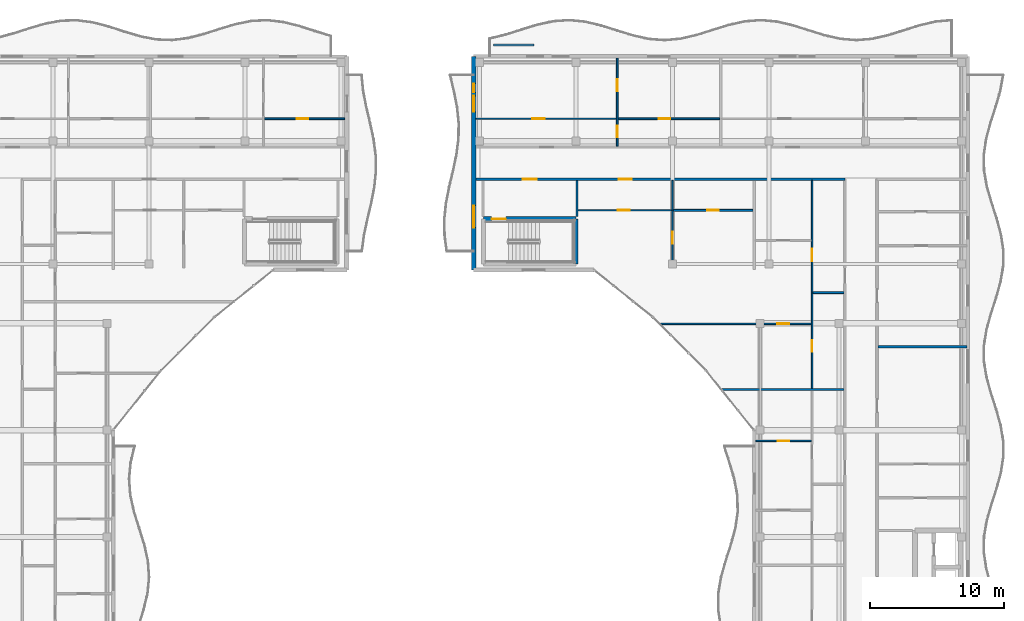
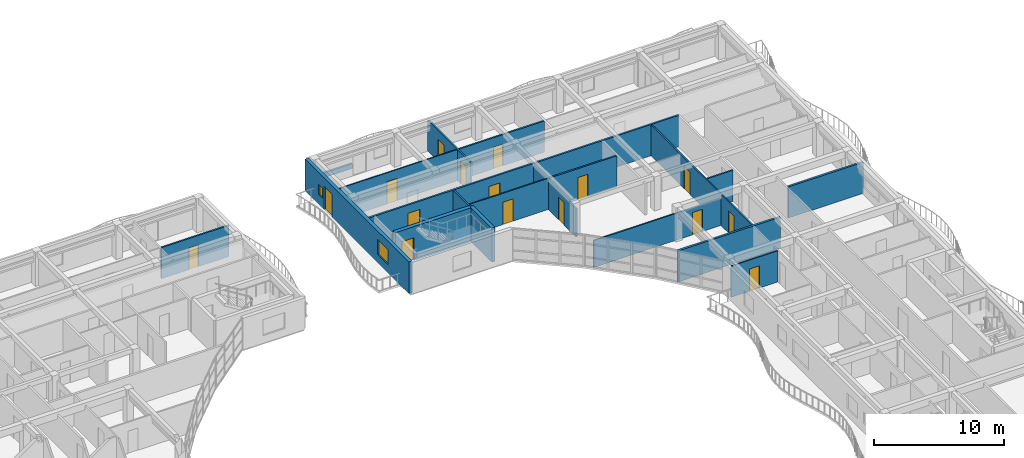
# One storey, part 44 of 72: 19 walls, 16 doors, 2 windows, 18 openings.
"""IFC4 building model written with IfcOpenShell, lengths in metres."""

from ifc_helpers import new_model, si_unit, direction, frame, frame_2d, origin, place, context, subcontext, project, spatial, rectangle, extrude, material, layer, layer_set, type_object, element, fill, save


model = new_model("IFC4")

# Units and contexts
model_context = context("Model", 3, precision=1e-05, world=origin(), true_north=direction((0.0, 1.0)))
body_context = subcontext(model_context, "Body", "Model", "MODEL_VIEW")
ifc_project = project(units=[si_unit("LENGTHUNIT", "METRE"), si_unit("AREAUNIT", "SQUARE_METRE"), si_unit("VOLUMEUNIT", "CUBIC_METRE"), si_unit("PLANEANGLEUNIT", "RADIAN"), si_unit("MASSUNIT", "GRAM", prefix="KILO")], contexts=[model_context])

# Site, building, storey
site_placement = place(None, origin())
site = spatial("IfcSite", under=ifc_project, at=site_placement, CompositionType="ELEMENT")
building_placement = place(site_placement, origin())
building = spatial("IfcBuilding", under=site, at=building_placement, Name="Keldmere Railside Commons", CompositionType="ELEMENT")
storey_placement = place(building_placement, frame((0.0, 0.0, 16.9599609375)))
storey = spatial("IfcBuildingStorey", under=building, at=storey_placement, Name="L05", CompositionType="ELEMENT", Elevation=16.9599609375)

# Walls
ifc_material_1 = material(Name="Acoustic Gypsum Board Partition", Category="gypsum")
ifc_layer_1 = layer(ifc_material_1, 0.179931640625, Name="Acoustic Demising Partition 180")
ifc_layer_set_1 = layer_set([ifc_layer_1], Name="Acoustic Gypsum Board Partition")
wall_type_1 = type_object("IfcWallType", Name="Acoustic Demising Partition 180", PredefinedType="PARTITIONING", material=ifc_layer_set_1)
wall_1_placement = place(storey_placement, frame((165.6044921875, 91.050048828125, 0.0), z_axis=(0.0, 0.0, 1.0), x_axis=(1.0, 0.0, 0.0)))
element("IfcWall", 1, at=wall_1_placement, inside=storey, type_object=wall_type_1, Name="IW-1 IW-L05-1606", PredefinedType="PARTITIONING", context=body_context, shape_type="SweptSolid", body=[
    extrude(rectangle(XDim=9.115478515625, YDim=0.179931640625, at=frame_2d((4.5576171875, 0.0))), origin(), (0.0, 0.0, 1.0), 2.93505859375),
])
wall_2_placement = place(storey_placement, frame((177.280029296875, 94.25, 0.0), z_axis=(0.0, 0.0, 1.0), x_axis=(1.0, 0.0, 0.0)))
element("IfcWall", 2, at=wall_2_placement, inside=storey, type_object=wall_type_1, Name="IW-1 IW-L05-1631", PredefinedType="PARTITIONING", context=body_context, shape_type="SweptSolid", body=[
    extrude(rectangle(XDim=6.679931640625, YDim=0.179931640625, at=frame_2d((3.33984375, 0.0))), origin(), (0.0, 0.0, 1.0), 2.93505859375),
])

# Wall, opening, door
ifc_layer_2 = layer(ifc_material_1, 0.1201171875, Name="Apartment Interior Partition 120")
ifc_layer_set_2 = layer_set([ifc_layer_2], Name="Acoustic Gypsum Board Partition")
wall_type_2 = type_object("IfcWallType", Name="Apartment Interior Partition 120", PredefinedType="PARTITIONING", material=ifc_layer_set_2)
wall_3_placement = place(storey_placement, frame((168.1298828125, 87.199951171875, 0.0), z_axis=(0.0, 0.0, 1.0), x_axis=(1.0, 0.0, 0.0)))
wall_3 = element("IfcWall", 3, at=wall_3_placement, inside=storey, type_object=wall_type_2, Name="IW-4 IW-L05-1616", PredefinedType="PARTITIONING", context=body_context, shape_type="SweptSolid", body=[
    extrude(rectangle(XDim=4.150146484375, YDim=0.1201171875, at=frame_2d((2.0751953125, 0.0))), origin(), (0.0, 0.0, 1.0), 2.93505859375),
])
opening_1_placement = place(wall_3_placement, frame((1.635009765625, 0.0, 0.0)))
opening_1 = element("IfcOpeningElement", 4, at=opening_1_placement, cuts=wall_3, Name="Opening ID-02", PredefinedType="OPENING", context=body_context, shape_type="SweptSolid", body=[
    extrude(rectangle(XDim=0.8798828125, YDim=2.10009765625, at=frame_2d((0.43994140625, 1.050048828125))), frame((0.0, 0.070068359375, 0.0), z_axis=(0.0, -1.0, 0.0), x_axis=(1.0, 0.0, 0.0)), (0.0, 0.0, 1.0), 0.14013671875),
])
ifc_material_2 = material(Name="Engineered Oak Timber", Category="wood")
door_type_1 = type_object("IfcDoorType", Name="Secondary Bedroom Door 880x2100", OperationType="NOTDEFINED", PredefinedType="DOOR", material=ifc_material_2)
door_1_placement = place(opening_1_placement, origin())
door_1 = element("IfcDoor", 5, at=door_1_placement, inside=storey, type_object=door_type_1, Name="ID-02 IDR-L05-1460", OperationType="SINGLE_SWING_RIGHT", OverallHeight=2.10009765625, OverallWidth=0.8798828125, PredefinedType="DOOR", context=body_context, shape_type="SweptSolid", body=[
    extrude(rectangle(XDim=0.8798828125, YDim=2.10009765625, at=frame_2d((0.43994140625, 1.050048828125))), frame((0.0, 0.02490234375, 0.0), z_axis=(0.0, -1.0, 0.0), x_axis=(1.0, 0.0, 0.0)), (0.0, 0.0, 1.0), 0.050048828125),
])
fill(opening_1, door_1)

# Wall, openings, doors
wall_4_placement = place(storey_placement, frame((172.340087890625, 91.139892578125, 0.0), z_axis=(0.0, 0.0, 1.0), x_axis=(0.0, 1.0, 0.0)))
wall_4 = element("IfcWall", 6, at=wall_4_placement, inside=storey, type_object=wall_type_2, Name="IW-4 IW-L05-1617", PredefinedType="PARTITIONING", context=body_context, shape_type="SweptSolid", body=[
    extrude(rectangle(XDim=15.580078125, YDim=0.1201171875, at=frame_2d((7.7900390625, 0.0))), origin(), (0.0, 0.0, 1.0), 2.93505859375),
])
opening_2_placement = place(wall_4_placement, frame((2.724609375, 0.0, 0.0)))
opening_2 = element("IfcOpeningElement", 7, at=opening_2_placement, cuts=wall_4, Name="Opening ID-04", PredefinedType="OPENING", context=body_context, shape_type="SweptSolid", body=[
    extrude(rectangle(XDim=0.860107421875, YDim=2.10009765625, at=frame_2d((0.43017578125, 1.050048828125))), frame((0.0, 0.070068359375, 0.0), z_axis=(0.0, -1.0, 0.0), x_axis=(1.0, 0.0, 0.0)), (0.0, 0.0, 1.0), 0.14013671875),
])
opening_3_placement = place(wall_4_placement, frame((9.52490234375, 0.0, 0.0)))
opening_3 = element("IfcOpeningElement", 8, at=opening_3_placement, cuts=wall_4, Name="Opening ID-03", PredefinedType="OPENING", context=body_context, shape_type="SweptSolid", body=[
    extrude(rectangle(XDim=0.919921875, YDim=2.10009765625, at=frame_2d((0.4599609375, 1.050048828125))), frame((0.0, 0.070068359375, 0.0), z_axis=(0.0, -1.0, 0.0), x_axis=(1.0, 0.0, 0.0)), (0.0, 0.0, 1.0), 0.14013671875),
])
door_type_2 = type_object("IfcDoorType", Name="Apartment Bathroom Door 860x2100", OperationType="NOTDEFINED", PredefinedType="DOOR", material=ifc_material_2)
door_2_placement = place(opening_2_placement, origin())
door_2 = element("IfcDoor", 9, at=door_2_placement, inside=storey, type_object=door_type_2, Name="ID-04 IDR-L05-1461", OperationType="SINGLE_SWING_LEFT", OverallHeight=2.10009765625, OverallWidth=0.860107421875, PredefinedType="DOOR", context=body_context, shape_type="SweptSolid", body=[
    extrude(rectangle(XDim=0.860107421875, YDim=2.10009765625, at=frame_2d((0.43017578125, 1.050048828125))), frame((0.0, 0.02490234375, 0.0), z_axis=(0.0, -1.0, 0.0), x_axis=(1.0, 0.0, 0.0)), (0.0, 0.0, 1.0), 0.050048828125),
])
fill(opening_2, door_2)
door_type_3 = type_object("IfcDoorType", Name="Kitchen Pocket-Frame Swing Door 920x2100", OperationType="NOTDEFINED", PredefinedType="DOOR", material=ifc_material_2)
door_3_placement = place(opening_3_placement, origin())
door_3 = element("IfcDoor", 10, at=door_3_placement, inside=storey, type_object=door_type_3, Name="ID-03 IDR-L05-1462", OperationType="SINGLE_SWING_RIGHT", OverallHeight=2.10009765625, OverallWidth=0.919921875, PredefinedType="DOOR", context=body_context, shape_type="SweptSolid", body=[
    extrude(rectangle(XDim=0.919921875, YDim=2.10009765625, at=frame_2d((0.4599609375, 1.050048828125))), frame((0.0, 0.02490234375, 0.0), z_axis=(0.0, -1.0, 0.0), x_axis=(1.0, 0.0, 0.0)), (0.0, 0.0, 1.0), 0.050048828125),
])
fill(opening_3, door_3)

# Wall, opening, door
wall_5_placement = place(storey_placement, frame((160.962646484375, 95.969970703125, 0.0), z_axis=(0.0, 0.0, 1.0), x_axis=(1.0, 0.0, 0.0)))
wall_5 = element("IfcWall", 11, at=wall_5_placement, inside=storey, type_object=wall_type_2, Name="IW-4 IW-L05-1619", PredefinedType="PARTITIONING", context=body_context, shape_type="SweptSolid", body=[
    extrude(rectangle(XDim=11.3173828125, YDim=0.1201171875, at=frame_2d((5.65869140625, 0.0))), origin(), (0.0, 0.0, 1.0), 2.530029296875),
])
opening_4_placement = place(wall_5_placement, frame((8.77197265625, 0.0, 0.0)))
opening_4 = element("IfcOpeningElement", 12, at=opening_4_placement, cuts=wall_5, Name="Opening ID-01", PredefinedType="OPENING", context=body_context, shape_type="SweptSolid", body=[
    extrude(rectangle(XDim=0.89990234375, YDim=2.10009765625, at=frame_2d((0.449951171875, 1.050048828125))), frame((0.0, 0.070068359375, 0.0), z_axis=(0.0, -1.0, 0.0), x_axis=(1.0, 0.0, 0.0)), (0.0, 0.0, 1.0), 0.14013671875),
])
door_type_4 = type_object("IfcDoorType", Name="Primary Bedroom Door 900x2100", OperationType="NOTDEFINED", PredefinedType="DOOR", material=ifc_material_2)
door_4_placement = place(opening_4_placement, origin())
door_4 = element("IfcDoor", 13, at=door_4_placement, inside=storey, type_object=door_type_4, Name="ID-01 IDR-L05-1464", OperationType="SINGLE_SWING_RIGHT", OverallHeight=2.10009765625, OverallWidth=0.89990234375, PredefinedType="DOOR", context=body_context, shape_type="SweptSolid", body=[
    extrude(rectangle(XDim=0.89990234375, YDim=2.10009765625, at=frame_2d((0.449951171875, 1.050048828125))), frame((0.0, 0.02490234375, 0.0), z_axis=(0.0, -1.0, 0.0), x_axis=(1.0, 0.0, 0.0)), (0.0, 0.0, 1.0), 0.050048828125),
])
fill(opening_4, door_4)

# Wall, openings, doors
wall_6_placement = place(storey_placement, frame((157.75, 109.280029296875, 0.0), z_axis=(0.0, 0.0, 1.0), x_axis=(0.0, 1.0, 0.0)))
wall_6 = element("IfcWall", 14, at=wall_6_placement, inside=storey, type_object=wall_type_2, Name="IW-4 IW-L05-1622", PredefinedType="PARTITIONING", context=body_context, shape_type="SweptSolid", body=[
    extrude(rectangle(XDim=6.590087890625, YDim=0.1201171875, at=frame_2d((3.294921875, 0.0))), origin(), (0.0, 0.0, 1.0), 2.93505859375),
])
opening_5_placement = place(wall_6_placement, frame((0.656005859375, 0.0, 0.0)))
opening_5 = element("IfcOpeningElement", 15, at=opening_5_placement, cuts=wall_6, Name="Opening ID-04", PredefinedType="OPENING", context=body_context, shape_type="SweptSolid", body=[
    extrude(rectangle(XDim=0.860107421875, YDim=2.10009765625, at=frame_2d((0.43017578125, 1.050048828125))), frame((0.0, 0.070068359375, 0.0), z_axis=(0.0, -1.0, 0.0), x_axis=(1.0, 0.0, 0.0)), (0.0, 0.0, 1.0), 0.14013671875),
])
opening_6_placement = place(wall_6_placement, frame((4.093017578125, 0.0, 0.0)))
opening_6 = element("IfcOpeningElement", 16, at=opening_6_placement, cuts=wall_6, Name="Opening ID-01", PredefinedType="OPENING", context=body_context, shape_type="SweptSolid", body=[
    extrude(rectangle(XDim=0.89990234375, YDim=2.10009765625, at=frame_2d((0.449951171875, 1.050048828125))), frame((0.0, 0.070068359375, 0.0), z_axis=(0.0, -1.0, 0.0), x_axis=(1.0, 0.0, 0.0)), (0.0, 0.0, 1.0), 0.14013671875),
])
door_5_placement = place(opening_5_placement, origin())
door_5 = element("IfcDoor", 17, at=door_5_placement, inside=storey, type_object=door_type_2, Name="ID-04 IDR-L05-1468", OperationType="SINGLE_SWING_RIGHT", OverallHeight=2.10009765625, OverallWidth=0.860107421875, PredefinedType="DOOR", context=body_context, shape_type="SweptSolid", body=[
    extrude(rectangle(XDim=0.860107421875, YDim=2.10009765625, at=frame_2d((0.43017578125, 1.050048828125))), frame((0.0, 0.02490234375, 0.0), z_axis=(0.0, -1.0, 0.0), x_axis=(1.0, 0.0, 0.0)), (0.0, 0.0, 1.0), 0.050048828125),
])
fill(opening_5, door_5)
door_6_placement = place(opening_6_placement, origin())
door_6 = element("IfcDoor", 18, at=door_6_placement, inside=storey, type_object=door_type_4, Name="ID-01 IDR-L05-1469", OperationType="SINGLE_SWING_LEFT", OverallHeight=2.10009765625, OverallWidth=0.89990234375, PredefinedType="DOOR", context=body_context, shape_type="SweptSolid", body=[
    extrude(rectangle(XDim=0.89990234375, YDim=2.10009765625, at=frame_2d((0.449951171875, 1.050048828125))), frame((0.0, 0.02490234375, 0.0), z_axis=(0.0, -1.0, 0.0), x_axis=(1.0, 0.0, 0.0)), (0.0, 0.0, 1.0), 0.050048828125),
])
fill(opening_6, door_6)

# Wall, opening, door
wall_7_placement = place(storey_placement, frame((161.8798828125, 100.159912109375, 0.0), z_axis=(0.0, 0.0, 1.0), x_axis=(0.0, 1.0, 0.0)))
wall_7 = element("IfcWall", 19, at=wall_7_placement, inside=storey, type_object=wall_type_2, Name="IW-4 IW-L05-1628", PredefinedType="PARTITIONING", context=body_context, shape_type="SweptSolid", body=[
    extrude(rectangle(XDim=6.56005859375, YDim=0.1201171875, at=frame_2d((3.280029296875, 0.0))), origin(), (0.0, 0.0, 1.0), 2.679931640625),
])
opening_7_placement = place(wall_7_placement, frame((1.810302734375, 0.0, 0.0)))
opening_7 = element("IfcOpeningElement", 20, at=opening_7_placement, cuts=wall_7, Name="Opening ID-02", PredefinedType="OPENING", context=body_context, shape_type="SweptSolid", body=[
    extrude(rectangle(XDim=0.8798828125, YDim=2.10009765625, at=frame_2d((0.43994140625, 1.050048828125))), frame((0.0, 0.070068359375, 0.0), z_axis=(0.0, -1.0, 0.0), x_axis=(1.0, 0.0, 0.0)), (0.0, 0.0, 1.0), 0.14013671875),
])
door_7_placement = place(opening_7_placement, origin())
door_7 = element("IfcDoor", 21, at=door_7_placement, inside=storey, type_object=door_type_1, Name="ID-02 IDR-L05-1478", OperationType="SINGLE_SWING_RIGHT", OverallHeight=2.10009765625, OverallWidth=0.8798828125, PredefinedType="DOOR", context=body_context, shape_type="SweptSolid", body=[
    extrude(rectangle(XDim=0.8798828125, YDim=2.10009765625, at=frame_2d((0.43994140625, 1.050048828125))), frame((0.0, 0.02490234375, 0.0), z_axis=(0.0, -1.0, 0.0), x_axis=(1.0, 0.0, 0.0)), (0.0, 0.0, 1.0), 0.050048828125),
])
fill(opening_7, door_7)

# Wall
ifc_material_3 = material(Name="White Precast Concrete H-35 (C35/45)", Category="concrete")
ifc_layer_3 = layer(ifc_material_3, 0.169921875, Name="Balcony Planter Kerb Wall 170")
ifc_layer_set_3 = layer_set([ifc_layer_3], Name="White Precast Concrete H-35 (C35/45)")
wall_type_3 = type_object("IfcWallType", Name="Balcony Planter Kerb Wall 170", PredefinedType="PARAPET", material=ifc_layer_set_3)
wall_8_placement = place(storey_placement, frame((148.5, 116.85009765625, 0.0), z_axis=(0.0, 0.0, 1.0), x_axis=(1.0, 0.0, 0.0)))
element("IfcWall", 22, at=wall_8_placement, inside=storey, type_object=wall_type_3, Name="PW-2 PKBA-L05-0916", PredefinedType="PARAPET", context=body_context, shape_type="SweptSolid", body=[
    extrude(rectangle(XDim=3.0, YDim=0.169921875, at=frame_2d((1.5, 0.0))), origin(), (0.0, 0.0, 1.0), 0.449951171875),
])

# Wall, opening, door
ifc_layer_4 = layer(ifc_material_1, 0.10009765625, Name="Closet Light Partition 100")
ifc_layer_set_4 = layer_set([ifc_layer_4], Name="Acoustic Gypsum Board Partition")
wall_type_4 = type_object("IfcWallType", Name="Closet Light Partition 100", PredefinedType="PARTITIONING", material=ifc_layer_set_4)
wall_9_placement = place(storey_placement, frame((147.159912109375, 111.330078125, 0.0), z_axis=(0.0, 0.0, 1.0), x_axis=(1.0, 0.0, 0.0)))
wall_9 = element("IfcWall", 23, at=wall_9_placement, inside=storey, type_object=wall_type_4, Name="IW-6 IW-L05-1624", PredefinedType="PARTITIONING", context=body_context, shape_type="SweptSolid", body=[
    extrude(rectangle(XDim=10.530029296875, YDim=0.10009765625, at=frame_2d((5.26513671875, 0.0))), origin(), (0.0, 0.0, 1.0), 2.93505859375),
])
opening_8_placement = place(wall_9_placement, frame((4.236083984375, 0.0, 0.0)))
opening_8 = element("IfcOpeningElement", 24, at=opening_8_placement, cuts=wall_9, Name="Opening ID-03", PredefinedType="OPENING", context=body_context, shape_type="SweptSolid", body=[
    extrude(rectangle(XDim=0.919921875, YDim=2.10009765625, at=frame_2d((0.4599609375, 1.050048828125))), frame((0.0, 0.06005859375, 0.0), z_axis=(0.0, -1.0, 0.0), x_axis=(1.0, 0.0, 0.0)), (0.0, 0.0, 1.0), 0.1201171875),
])
door_8_placement = place(opening_8_placement, origin())
door_8 = element("IfcDoor", 25, at=door_8_placement, inside=storey, type_object=door_type_3, Name="ID-03 IDR-L05-1467", OperationType="SINGLE_SWING_LEFT", OverallHeight=2.10009765625, OverallWidth=0.919921875, PredefinedType="DOOR", context=body_context, shape_type="SweptSolid", body=[
    extrude(rectangle(XDim=0.919921875, YDim=2.10009765625, at=frame_2d((0.4599609375, 1.050048828125))), frame((0.0, 0.02490234375, 0.0), z_axis=(0.0, -1.0, 0.0), x_axis=(1.0, 0.0, 0.0)), (0.0, 0.0, 1.0), 0.050048828125),
])
fill(opening_8, door_8)

wall_10_placement = place(storey_placement, frame((154.800048828125, 104.469970703125, 0.0), z_axis=(0.0, 0.0, 1.0), x_axis=(1.0, 0.0, 0.0)))
wall_10 = element("IfcWall", 26, at=wall_10_placement, inside=storey, type_object=wall_type_4, Name="IW-6 IW-L05-1630", PredefinedType="PARTITIONING", context=body_context, shape_type="SweptSolid", body=[
    extrude(rectangle(XDim=7.02001953125, YDim=0.10009765625, at=frame_2d((3.510009765625, 0.0))), origin(), (0.0, 0.0, 1.0), 2.93505859375),
])
opening_9_placement = place(wall_10_placement, frame((2.9736328125, 0.0, 0.0)))
opening_9 = element("IfcOpeningElement", 27, at=opening_9_placement, cuts=wall_10, Name="Opening ID-03", PredefinedType="OPENING", context=body_context, shape_type="SweptSolid", body=[
    extrude(rectangle(XDim=0.919921875, YDim=2.10009765625, at=frame_2d((0.4599609375, 1.050048828125))), frame((0.0, 0.06005859375, 0.0), z_axis=(0.0, -1.0, 0.0), x_axis=(1.0, 0.0, 0.0)), (0.0, 0.0, 1.0), 0.1201171875),
])
door_9_placement = place(opening_9_placement, origin())
door_9 = element("IfcDoor", 28, at=door_9_placement, inside=storey, type_object=door_type_3, Name="ID-03 IDR-L05-1477", OperationType="SINGLE_SWING_LEFT", OverallHeight=2.10009765625, OverallWidth=0.919921875, PredefinedType="DOOR", context=body_context, shape_type="SweptSolid", body=[
    extrude(rectangle(XDim=0.919921875, YDim=2.10009765625, at=frame_2d((0.4599609375, 1.050048828125))), frame((0.0, 0.02490234375, 0.0), z_axis=(0.0, -1.0, 0.0), x_axis=(1.0, 0.0, 0.0)), (0.0, 0.0, 1.0), 0.050048828125),
])
fill(opening_9, door_9)

# Wall, openings, doors
ifc_layer_5 = layer(ifc_material_1, 0.159912109375, Name="Corridor Fire Partition 160")
ifc_layer_set_5 = layer_set([ifc_layer_5], Name="Acoustic Gypsum Board Partition")
wall_type_5 = type_object("IfcWallType", Name="Corridor Fire Partition 160", PredefinedType="PARTITIONING", material=ifc_layer_set_5)
wall_11_placement = place(storey_placement, frame((147.159912109375, 106.800048828125, 0.0), z_axis=(0.0, 0.0, 1.0), x_axis=(1.0, 0.0, 0.0)))
wall_11 = element("IfcWall", 29, at=wall_11_placement, inside=storey, type_object=wall_type_5, Name="IW-2 IW-L05-1598", PredefinedType="PARTITIONING", context=body_context, shape_type="SweptSolid", body=[
    extrude(rectangle(XDim=27.64013671875, YDim=0.159912109375, at=frame_2d((13.820068359375, 0.0))), origin(), (0.0, 0.0, 1.0), 2.93505859375),
])
opening_10_placement = place(wall_11_placement, frame((3.514892578125, 0.0, 0.0)))
opening_10 = element("IfcOpeningElement", 30, at=opening_10_placement, cuts=wall_11, Name="Opening FD-1", PredefinedType="OPENING", context=body_context, shape_type="SweptSolid", body=[
    extrude(rectangle(XDim=1.050048828125, YDim=2.14990234375, at=frame_2d((0.52490234375, 1.074951171875))), frame((0.0, 0.08984375, 0.0), z_axis=(0.0, -1.0, 0.0), x_axis=(1.0, 0.0, 0.0)), (0.0, 0.0, 1.0), 0.179931640625),
])
opening_11_placement = place(wall_11_placement, frame((10.68994140625, 0.0, 0.0)))
opening_11 = element("IfcOpeningElement", 31, at=opening_11_placement, cuts=wall_11, Name="Opening FD-7", PredefinedType="OPENING", context=body_context, shape_type="SweptSolid", body=[
    extrude(rectangle(XDim=0.97998046875, YDim=2.14990234375, at=frame_2d((0.489990234375, 1.074951171875))), frame((0.0, 0.08984375, 0.0), z_axis=(0.0, -1.0, 0.0), x_axis=(1.0, 0.0, 0.0)), (0.0, 0.0, 1.0), 0.179931640625),
])
door_type_5 = type_object("IfcDoorType", Name="Apartment Entrance Acoustic Fire Door 980x2150", OperationType="NOTDEFINED", PredefinedType="DOOR", material=ifc_material_2)
door_10_placement = place(opening_11_placement, origin())
door_10 = element("IfcDoor", 32, at=door_10_placement, inside=storey, type_object=door_type_5, Name="FD-7 IDR-L05-1476", OperationType="SINGLE_SWING_RIGHT", OverallHeight=2.14990234375, OverallWidth=0.97998046875, PredefinedType="DOOR", context=body_context, shape_type="SweptSolid", body=[
    extrude(rectangle(XDim=0.97998046875, YDim=2.14990234375, at=frame_2d((0.489990234375, 1.074951171875))), frame((0.0, 0.02490234375, 0.0), z_axis=(0.0, -1.0, 0.0), x_axis=(1.0, 0.0, 0.0)), (0.0, 0.0, 1.0), 0.050048828125),
])
fill(opening_11, door_10)
ifc_material_4 = material(Name="Steel F-24 (S235)", Category="steel")
door_type_6 = type_object("IfcDoorType", Name="Stair Core Fire Door 1050x2150", OperationType="NOTDEFINED", PredefinedType="DOOR", material=ifc_material_4)
door_11_placement = place(opening_10_placement, origin())
door_11 = element("IfcDoor", 33, at=door_11_placement, inside=storey, type_object=door_type_6, Name="FD-1 IDR-L05-1445", OperationType="SINGLE_SWING_LEFT", OverallHeight=2.14990234375, OverallWidth=1.050048828125, PredefinedType="DOOR", context=body_context, shape_type="SweptSolid", body=[
    extrude(rectangle(XDim=1.050048828125, YDim=2.14990234375, at=frame_2d((0.52490234375, 1.074951171875))), frame((0.0, 0.02490234375, 0.0), z_axis=(0.0, -1.0, 0.0), x_axis=(1.0, 0.0, 0.0)), (0.0, 0.0, 1.0), 0.050048828125),
])
fill(opening_10, door_11)

# Wall, openings, door, windows
ifc_material_5 = material(Name="Concrete H-35 (C35/45)", Category="concrete")
ifc_layer_6 = layer(ifc_material_5, 0.320068359375, Name="Exterior Shear Wall 320")
ifc_layer_set_6 = layer_set([ifc_layer_6], Name="Concrete H-35 (C35/45)")
wall_type_6 = type_object("IfcWallType", Name="Exterior Shear Wall 320", PredefinedType="SHEAR", material=ifc_layer_set_6)
wall_12_placement = place(storey_placement, frame((147.0, 100.0, 0.0), z_axis=(0.0, 0.0, 1.0), x_axis=(0.0, 1.0, 0.0)))
wall_12 = element("IfcWall", 34, at=wall_12_placement, inside=storey, type_object=wall_type_6, Name="ESW-2 EXTA-L05-0913", PredefinedType="SHEAR", context=body_context, shape_type="SweptSolid", body=[
    extrude(rectangle(XDim=16.0, YDim=0.320068359375, at=frame_2d((8.0, 0.0))), origin(), (0.0, 0.0, 1.0), 2.97998046875),
])
opening_12_placement = place(wall_12_placement, frame((3.175048828125, 0.0, 0.77001953125)))
opening_12 = element("IfcOpeningElement", 35, at=opening_12_placement, cuts=wall_12, Name="Opening WN-03", PredefinedType="OPENING", context=body_context, shape_type="SweptSolid", body=[
    extrude(rectangle(XDim=1.64990234375, YDim=1.449951171875, at=frame_2d((0.824951171875, 0.72509765625))), frame((0.0, 0.169921875, 0.0), z_axis=(0.0, -1.0, 0.0), x_axis=(1.0, 0.0, 0.0)), (0.0, 0.0, 1.0), 0.340087890625),
])
opening_13_placement = place(wall_12_placement, frame((11.85009765625, 0.0, 0.0)))
opening_13 = element("IfcOpeningElement", 36, at=opening_13_placement, cuts=wall_12, Name="Opening BD-01", PredefinedType="OPENING", context=body_context, shape_type="SweptSolid", body=[
    extrude(rectangle(XDim=1.199951171875, YDim=2.199951171875, at=frame_2d((0.60009765625, 1.10009765625))), frame((0.0, 0.169921875, 0.0), z_axis=(0.0, -1.0, 0.0), x_axis=(1.0, 0.0, 0.0)), (0.0, 0.0, 1.0), 0.340087890625),
])
opening_14_placement = place(wall_12_placement, frame((13.300048828125, 0.0, 0.89990234375)))
opening_14 = element("IfcOpeningElement", 37, at=opening_14_placement, cuts=wall_12, Name="Opening WN-15", PredefinedType="OPENING", context=body_context, shape_type="SweptSolid", body=[
    extrude(rectangle(XDim=0.64990234375, YDim=0.949951171875, at=frame_2d((0.324951171875, 0.47509765625))), frame((0.0, 0.169921875, 0.0), z_axis=(0.0, -1.0, 0.0), x_axis=(1.0, 0.0, 0.0)), (0.0, 0.0, 1.0), 0.340087890625),
])
ifc_material_6 = material(Name="Thermally Broken Aluminium", Category="aluminium")
door_type_7 = type_object("IfcDoorType", Name="Apartment Living Wave-Balcony Glazed Door 1200x2200", OperationType="NOTDEFINED", PredefinedType="DOOR", material=ifc_material_6)
door_12_placement = place(opening_13_placement, origin())
door_12 = element("IfcDoor", 38, at=door_12_placement, inside=storey, type_object=door_type_7, Name="BD-01 DR-L05-0248", OperationType="SINGLE_SWING_RIGHT", OverallHeight=2.199951171875, OverallWidth=1.199951171875, PredefinedType="DOOR", context=body_context, shape_type="SweptSolid", body=[
    extrude(rectangle(XDim=1.199951171875, YDim=2.199951171875, at=frame_2d((0.60009765625, 1.10009765625))), frame((0.0, 0.02490234375, 0.0), z_axis=(0.0, -1.0, 0.0), x_axis=(1.0, 0.0, 0.0)), (0.0, 0.0, 1.0), 0.050048828125),
])
fill(opening_13, door_12)
ifc_material_7 = material(Name="Low-E Insulated Double Glazing", Category="glass")
window_type_1 = type_object("IfcWindowType", Name="Exterior Bathroom Frosted Window 650x950", PartitioningType="SINGLE_PANEL", PredefinedType="WINDOW", material=ifc_material_7)
window_1_placement = place(opening_14_placement, origin())
window_1 = element("IfcWindow", 39, at=window_1_placement, inside=storey, type_object=window_type_1, Name="WN-15 WIN-L05-0676", OverallHeight=0.949951171875, OverallWidth=0.64990234375, PartitioningType="SINGLE_PANEL", PredefinedType="WINDOW", context=body_context, shape_type="SweptSolid", body=[
    extrude(rectangle(XDim=0.64990234375, YDim=0.949951171875, at=frame_2d((0.324951171875, 0.47509765625))), frame((0.0, 0.030029296875, 0.0), z_axis=(0.0, -1.0, 0.0), x_axis=(1.0, 0.0, 0.0)), (0.0, 0.0, 1.0), 0.06005859375),
])
fill(opening_14, window_1)
window_type_2 = type_object("IfcWindowType", Name="Living Room East Shaded Window 1650x1450", PartitioningType="SINGLE_PANEL", PredefinedType="WINDOW", material=ifc_material_7)
window_2_placement = place(opening_12_placement, origin())
window_2 = element("IfcWindow", 40, at=window_2_placement, inside=storey, type_object=window_type_2, Name="WN-03 WIN-L05-0675", OverallHeight=1.449951171875, OverallWidth=1.64990234375, PartitioningType="SINGLE_PANEL", PredefinedType="WINDOW", context=body_context, shape_type="SweptSolid", body=[
    extrude(rectangle(XDim=1.64990234375, YDim=1.449951171875, at=frame_2d((0.824951171875, 0.72509765625))), frame((0.0, 0.030029296875, 0.0), z_axis=(0.0, -1.0, 0.0), x_axis=(1.0, 0.0, 0.0)), (0.0, 0.0, 1.0), 0.06005859375),
])
fill(opening_12, window_2)

# Wall
ifc_layer_7 = layer(ifc_material_5, 0.300048828125, Name="Interior Shear Wall 300")
ifc_layer_set_7 = layer_set([ifc_layer_7], Name="Concrete H-35 (C35/45)")
wall_type_7 = type_object("IfcWallType", Name="Interior Shear Wall 300", PredefinedType="SHEAR", material=ifc_layer_set_7)
wall_13_placement = place(storey_placement, frame((154.64990234375, 100.449951171875, 0.0), z_axis=(0.0, 0.0, 1.0), x_axis=(0.0, 1.0, 0.0)))
element("IfcWall", 41, at=wall_13_placement, inside=storey, type_object=wall_type_7, Name="ISW-2 COREA2E-L05-0779", PredefinedType="SHEAR", context=body_context, shape_type="SweptSolid", body=[
    extrude(rectangle(XDim=3.3701171875, YDim=0.300048828125, at=frame_2d((1.68505859375, 0.0))), origin(), (0.0, 0.0, 1.0), 3.199951171875),
])

# Wall, opening, door
ifc_layer_8 = layer(ifc_material_5, 0.340087890625, Name="Interior Shear Wall 340")
ifc_layer_set_8 = layer_set([ifc_layer_8], Name="Concrete H-35 (C35/45)")
wall_type_8 = type_object("IfcWallType", Name="Interior Shear Wall 340", PredefinedType="SHEAR", material=ifc_layer_set_8)
wall_14_placement = place(storey_placement, frame((154.64990234375, 103.820068359375, 0.0), z_axis=(0.0, 0.0, 1.0), x_axis=(-1.0, 0.0, 0.0)))
wall_14 = element("IfcWall", 42, at=wall_14_placement, inside=storey, type_object=wall_type_8, Name="ISW-1 COREA2N-L05-0777", PredefinedType="SHEAR", context=body_context, shape_type="SweptSolid", body=[
    extrude(rectangle(XDim=6.89990234375, YDim=0.340087890625, at=frame_2d((3.449951171875, 0.0))), origin(), (0.0, 0.0, 1.0), 3.199951171875),
])
opening_15_placement = place(wall_14_placement, frame((5.25, 0.0, 0.0)))
opening_15 = element("IfcOpeningElement", 43, at=opening_15_placement, cuts=wall_14, Name="Opening FD-1", PredefinedType="OPENING", context=body_context, shape_type="SweptSolid", body=[
    extrude(rectangle(XDim=1.050048828125, YDim=2.14990234375, at=frame_2d((0.52490234375, 1.074951171875))), frame((0.0, 0.179931640625, 0.0), z_axis=(0.0, -1.0, 0.0), x_axis=(1.0, 0.0, 0.0)), (0.0, 0.0, 1.0), 0.360107421875),
])
door_13_placement = place(opening_15_placement, origin())
door_13 = element("IfcDoor", 44, at=door_13_placement, inside=storey, type_object=door_type_6, Name="FD-1 A2 L05", OperationType="SINGLE_SWING_RIGHT", OverallHeight=2.14990234375, OverallWidth=1.050048828125, PredefinedType="DOOR", context=body_context, shape_type="SweptSolid", body=[
    extrude(rectangle(XDim=1.050048828125, YDim=2.14990234375, at=frame_2d((0.52490234375, 1.074951171875))), frame((0.0, 0.02490234375, 0.0), z_axis=(0.0, -1.0, 0.0), x_axis=(1.0, 0.0, 0.0)), (0.0, 0.0, 1.0), 0.050048828125),
])
fill(opening_15, door_13)

# Wall
ifc_layer_9 = layer(ifc_material_1, 0.14990234375, Name="Lobby Rated Partition 150")
ifc_layer_set_9 = layer_set([ifc_layer_9], Name="Acoustic Gypsum Board Partition")
wall_type_9 = type_object("IfcWallType", Name="Lobby Rated Partition 150", PredefinedType="PARTITIONING", material=ifc_layer_set_9)
wall_15_placement = place(storey_placement, frame((154.719970703125, 103.989990234375, 0.0), z_axis=(0.0, 0.0, 1.0), x_axis=(0.0, 1.0, 0.0)))
element("IfcWall", 45, at=wall_15_placement, inside=storey, type_object=wall_type_9, Name="IW-3 IW-L05-1603", PredefinedType="PARTITIONING", context=body_context, shape_type="SweptSolid", body=[
    extrude(rectangle(XDim=2.72998046875, YDim=0.14990234375, at=frame_2d((1.364990234375, 0.0))), origin(), (0.0, 0.0, 1.0), 2.93505859375),
])

# Wall, opening, door
ifc_layer_10 = layer(ifc_material_1, 0.139892578125, Name="Wet-Room Sanitary Partition 140")
ifc_layer_set_10 = layer_set([ifc_layer_10], Name="Acoustic Gypsum Board Partition")
wall_type_10 = type_object("IfcWallType", Name="Wet-Room Sanitary Partition 140", PredefinedType="PARTITIONING", material=ifc_layer_set_10)
wall_16_placement = place(storey_placement, frame((131.320068359375, 111.330078125, 0.0), z_axis=(0.0, 0.0, 1.0), x_axis=(1.0, 0.0, 0.0)))
wall_16 = element("IfcWall", 46, at=wall_16_placement, inside=storey, type_object=wall_type_10, Name="IW-5 IW-L05-1130", PredefinedType="PARTITIONING", context=body_context, shape_type="SweptSolid", body=[
    extrude(rectangle(XDim=6.02001953125, YDim=0.139892578125, at=frame_2d((3.010009765625, 0.0))), origin(), (0.0, 0.0, 1.0), 2.93505859375),
])
opening_16_placement = place(wall_16_placement, frame((2.431884765625, 0.0, 0.0)))
opening_16 = element("IfcOpeningElement", 47, at=opening_16_placement, cuts=wall_16, Name="Opening ID-06", PredefinedType="OPENING", context=body_context, shape_type="SweptSolid", body=[
    extrude(rectangle(XDim=0.85009765625, YDim=2.050048828125, at=frame_2d((0.425048828125, 1.02490234375))), frame((0.0, 0.079833984375, 0.0), z_axis=(0.0, -1.0, 0.0), x_axis=(1.0, 0.0, 0.0)), (0.0, 0.0, 1.0), 0.159912109375),
])
door_type_8 = type_object("IfcDoorType", Name="Storage Closet Door 850x2050", OperationType="NOTDEFINED", PredefinedType="DOOR", material=ifc_material_2)
door_14_placement = place(opening_16_placement, origin())
door_14 = element("IfcDoor", 48, at=door_14_placement, inside=storey, type_object=door_type_8, Name="ID-06 IDR-L05-1000", OperationType="SINGLE_SWING_RIGHT", OverallHeight=2.050048828125, OverallWidth=0.85009765625, PredefinedType="DOOR", context=body_context, shape_type="SweptSolid", body=[
    extrude(rectangle(XDim=0.85009765625, YDim=2.050048828125, at=frame_2d((0.425048828125, 1.02490234375))), frame((0.0, 0.02490234375, 0.0), z_axis=(0.0, -1.0, 0.0), x_axis=(1.0, 0.0, 0.0)), (0.0, 0.0, 1.0), 0.050048828125),
])
fill(opening_16, door_14)

# Wall
wall_17_placement = place(storey_placement, frame((172.39990234375, 98.31005859375, 0.0), z_axis=(0.0, 0.0, 1.0), x_axis=(1.0, 0.0, 0.0)))
element("IfcWall", 49, at=wall_17_placement, inside=storey, type_object=wall_type_10, Name="IW-5 IW-L05-1618", PredefinedType="PARTITIONING", context=body_context, shape_type="SweptSolid", body=[
    extrude(rectangle(XDim=2.320068359375, YDim=0.139892578125, at=frame_2d((1.16015625, 0.0))), origin(), (0.0, 0.0, 1.0), 2.93505859375),
])

# Wall, opening, door
wall_18_placement = place(storey_placement, frame((157.81005859375, 111.330078125, 0.0), z_axis=(0.0, 0.0, 1.0), x_axis=(1.0, 0.0, 0.0)))
wall_18 = element("IfcWall", 50, at=wall_18_placement, inside=storey, type_object=wall_type_10, Name="IW-5 IW-L05-1623", PredefinedType="PARTITIONING", context=body_context, shape_type="SweptSolid", body=[
    extrude(rectangle(XDim=7.599853515625, YDim=0.139892578125, at=frame_2d((3.7998046875, 0.0))), origin(), (0.0, 0.0, 1.0), 2.93505859375),
])
opening_17_placement = place(wall_18_placement, frame((3.06396484375, 0.0, 0.0)))
opening_17 = element("IfcOpeningElement", 51, at=opening_17_placement, cuts=wall_18, Name="Opening ID-06", PredefinedType="OPENING", context=body_context, shape_type="SweptSolid", body=[
    extrude(rectangle(XDim=0.85009765625, YDim=2.050048828125, at=frame_2d((0.425048828125, 1.02490234375))), frame((0.0, 0.079833984375, 0.0), z_axis=(0.0, -1.0, 0.0), x_axis=(1.0, 0.0, 0.0)), (0.0, 0.0, 1.0), 0.159912109375),
])
door_15_placement = place(opening_17_placement, origin())
door_15 = element("IfcDoor", 52, at=door_15_placement, inside=storey, type_object=door_type_8, Name="ID-06 IDR-L05-1470", OperationType="SINGLE_SWING_RIGHT", OverallHeight=2.050048828125, OverallWidth=0.85009765625, PredefinedType="DOOR", context=body_context, shape_type="SweptSolid", body=[
    extrude(rectangle(XDim=0.85009765625, YDim=2.050048828125, at=frame_2d((0.425048828125, 1.02490234375))), frame((0.0, 0.02490234375, 0.0), z_axis=(0.0, -1.0, 0.0), x_axis=(1.0, 0.0, 0.0)), (0.0, 0.0, 1.0), 0.050048828125),
])
fill(opening_17, door_15)

wall_19_placement = place(storey_placement, frame((161.93994140625, 104.469970703125, 0.0), z_axis=(0.0, 0.0, 1.0), x_axis=(1.0, 0.0, 0.0)))
wall_19 = element("IfcWall", 53, at=wall_19_placement, inside=storey, type_object=wall_type_10, Name="IW-5 IW-L05-1629", PredefinedType="PARTITIONING", context=body_context, shape_type="SweptSolid", body=[
    extrude(rectangle(XDim=5.969970703125, YDim=0.139892578125, at=frame_2d((2.98486328125, 0.0))), origin(), (0.0, 0.0, 1.0), 2.93505859375),
])
opening_18_placement = place(wall_19_placement, frame((2.53271484375, 0.0, 0.0)))
opening_18 = element("IfcOpeningElement", 54, at=opening_18_placement, cuts=wall_19, Name="Opening ID-04", PredefinedType="OPENING", context=body_context, shape_type="SweptSolid", body=[
    extrude(rectangle(XDim=0.860107421875, YDim=2.10009765625, at=frame_2d((0.43017578125, 1.050048828125))), frame((0.0, 0.079833984375, 0.0), z_axis=(0.0, -1.0, 0.0), x_axis=(1.0, 0.0, 0.0)), (0.0, 0.0, 1.0), 0.159912109375),
])
door_16_placement = place(opening_18_placement, origin())
door_16 = element("IfcDoor", 55, at=door_16_placement, inside=storey, type_object=door_type_2, Name="ID-04 IDR-L05-1479", OperationType="SINGLE_SWING_LEFT", OverallHeight=2.10009765625, OverallWidth=0.860107421875, PredefinedType="DOOR", context=body_context, shape_type="SweptSolid", body=[
    extrude(rectangle(XDim=0.860107421875, YDim=2.10009765625, at=frame_2d((0.43017578125, 1.050048828125))), frame((0.0, 0.02490234375, 0.0), z_axis=(0.0, -1.0, 0.0), x_axis=(1.0, 0.0, 0.0)), (0.0, 0.0, 1.0), 0.050048828125),
])
fill(opening_18, door_16)

save(model, "model.ifc")
